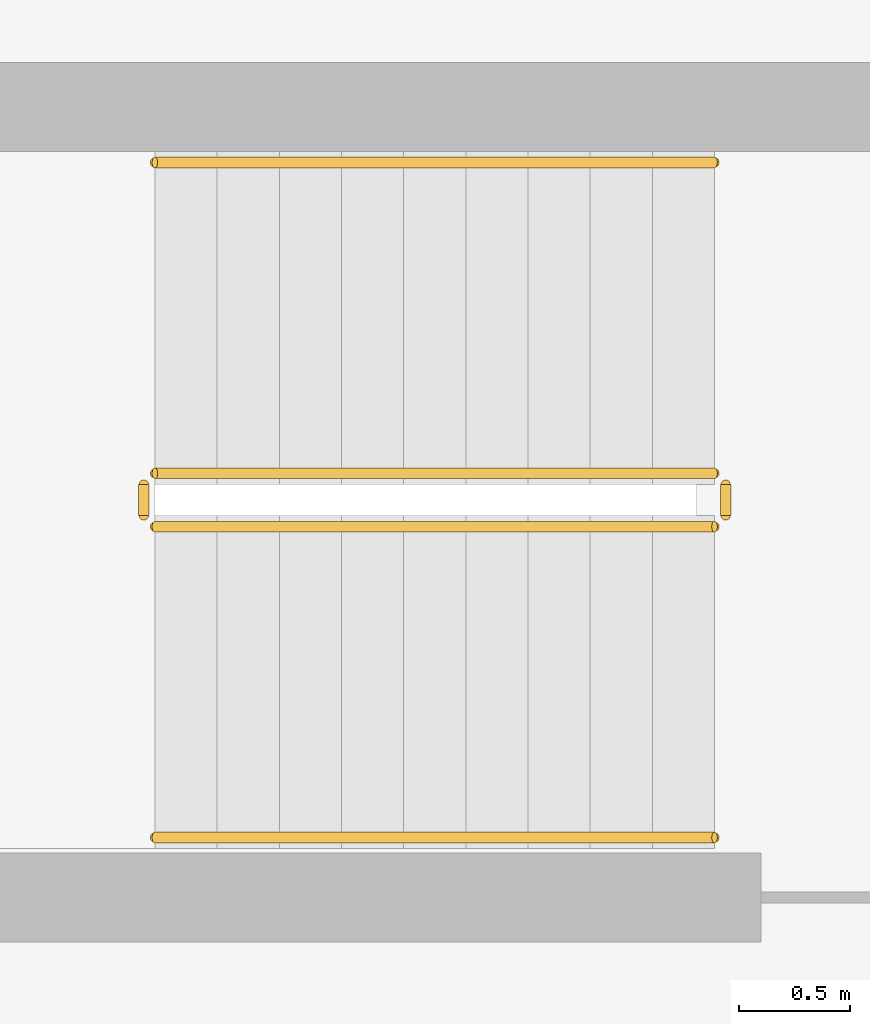
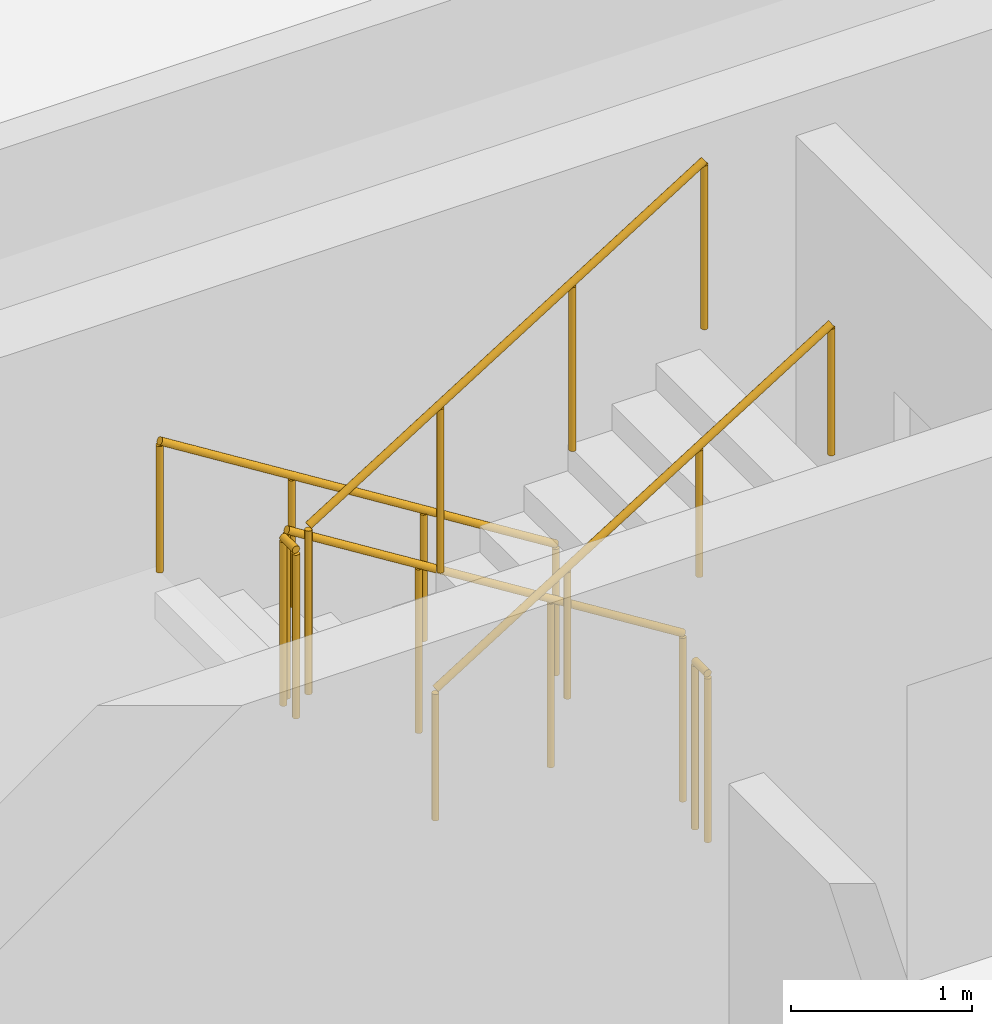
# One storey, part 16 of 18: 6 railings.
"""IFC4 building model written with IfcOpenShell, lengths in metres."""

from ifc_helpers import new_model, si_unit, derived_unit, direction, frame, origin, origin_2d, place, context, subcontext, project, spatial, circle, extrude, material, type_object, element, save


model = new_model("IFC4")

# Units and contexts
model_context = context("Model", 3, precision=1e-05, world=origin(), true_north=direction((0.0, 1.0)))
body_context = subcontext(model_context, "Body", "Model", "MODEL_VIEW")
ifc_project = project(units=[si_unit("LENGTHUNIT", "METRE"), si_unit("AREAUNIT", "SQUARE_METRE"), si_unit("VOLUMEUNIT", "CUBIC_METRE"), si_unit("PLANEANGLEUNIT", "RADIAN"), si_unit("MASSUNIT", "GRAM", prefix="KILO"), derived_unit("THERMALTRANSMITTANCEUNIT", [(si_unit("POWERUNIT", "WATT"), 1), (si_unit("LENGTHUNIT", "METRE"), -2), (si_unit("THERMODYNAMICTEMPERATUREUNIT", "KELVIN"), -1)])], contexts=[model_context])

# Site, building, storey
site_placement = place(None, origin())
site = spatial("IfcSite", under=ifc_project, at=site_placement, CompositionType="ELEMENT")
building_placement = place(site_placement, origin())
building = spatial("IfcBuilding", under=site, at=building_placement, Name="Kivonza Crest Hotel", CompositionType="ELEMENT")
storey_placement = place(building_placement, frame((0.0, 0.0, 131.0)))
storey = spatial("IfcBuildingStorey", under=building, at=storey_placement, Name="L35", CompositionType="ELEMENT", Elevation=131.0)

# Railings
ifc_material_1 = material(Name="Brushed stainless steel handrail", Category="steel")
railing_type_1 = type_object("IfcRailingType", Name="RL-HAND-900", PredefinedType="HANDRAIL", material=ifc_material_1)
railing_1_placement = place(storey_placement, frame((12.239990234375, 36.110107421875, 0.175048828125)))
element("IfcRailing", 1, at=railing_1_placement, inside=storey, type_object=railing_type_1, Name="L35 ST-T1-N stair handrail 1", PredefinedType="HANDRAIL", context=body_context, shape_type="SweptSolid", body=[
    extrude(circle(Radius=0.02392578125, at=origin_2d()), frame((0.0, 0.0, 0.8759765625), z_axis=(-0.848007534815, 0.0, 0.529984170421), x_axis=(0.0, -1.0, 0.0)), (0.0, 0.0, 1.0), 2.9716796875),
    extrude(circle(Radius=0.02099609375, at=origin_2d()), origin(), (0.0, 0.0, 1.0), 0.851806640625),
    extrude(circle(Radius=0.02099609375, at=origin_2d()), frame((-0.840087890625, 0.0, 0.52490234375)), (0.0, 0.0, 1.0), 0.851806640625),
    extrude(circle(Radius=0.02099609375, at=origin_2d()), frame((-1.679931640625, 0.0, 1.050048828125)), (0.0, 0.0, 1.0), 0.851806640625),
    extrude(circle(Radius=0.02099609375, at=origin_2d()), frame((-2.52001953125, 0.0, 1.574951171875)), (0.0, 0.0, 1.0), 0.851806640625),
])
railing_2_placement = place(storey_placement, frame((9.719970703125, 33.070068359375, 1.925048828125)))
element("IfcRailing", 2, at=railing_2_placement, inside=storey, type_object=railing_type_1, Name="L35 ST-T1-N stair handrail 2", PredefinedType="HANDRAIL", context=body_context, shape_type="SweptSolid", body=[
    extrude(circle(Radius=0.02392578125, at=origin_2d()), frame((0.0, 0.0, 0.8759765625), z_axis=(0.848007534815, 0.0, 0.529984170421), x_axis=(0.0, 1.0, 0.0)), (0.0, 0.0, 1.0), 2.9716796875),
    extrude(circle(Radius=0.02099609375, at=origin_2d()), origin(), (0.0, 0.0, 1.0), 0.851806640625),
    extrude(circle(Radius=0.02099609375, at=origin_2d()), frame((0.840087890625, 0.0, 0.52490234375)), (0.0, 0.0, 1.0), 0.851806640625),
    extrude(circle(Radius=0.02099609375, at=origin_2d()), frame((1.679931640625, 0.0, 1.050048828125)), (0.0, 0.0, 1.0), 0.851806640625),
    extrude(circle(Radius=0.02099609375, at=origin_2d()), frame((2.52001953125, 0.0, 1.574951171875)), (0.0, 0.0, 1.0), 0.851806640625),
])
ifc_material_2 = material(Name="Painted steel balustrade", Category="steel")
railing_type_2 = type_object("IfcRailingType", Name="RL-STAIR-1150", PredefinedType="BALUSTRADE", material=ifc_material_2)
railing_3_placement = place(storey_placement, frame((12.239990234375, 34.7099609375, 0.175048828125)))
element("IfcRailing", 3, at=railing_3_placement, inside=storey, type_object=railing_type_2, Name="L35 ST-T1-N stair guard 1", PredefinedType="BALUSTRADE", context=body_context, shape_type="SweptSolid", body=[
    extrude(circle(Radius=0.02392578125, at=origin_2d()), frame((0.0, 0.0, 1.1259765625), z_axis=(-0.848007534815, 0.0, 0.529984170421), x_axis=(0.0, -1.0, 0.0)), (0.0, 0.0, 1.0), 2.9716796875),
    extrude(circle(Radius=0.02099609375, at=origin_2d()), origin(), (0.0, 0.0, 1.0), 1.101806640625),
    extrude(circle(Radius=0.02099609375, at=origin_2d()), frame((-0.840087890625, 0.0, 0.52490234375)), (0.0, 0.0, 1.0), 1.101806640625),
    extrude(circle(Radius=0.02099609375, at=origin_2d()), frame((-1.679931640625, 0.0, 1.050048828125)), (0.0, 0.0, 1.0), 1.101806640625),
    extrude(circle(Radius=0.02099609375, at=origin_2d()), frame((-2.52001953125, 0.0, 1.574951171875)), (0.0, 0.0, 1.0), 1.101806640625),
])
railing_4_placement = place(storey_placement, frame((9.669921875, 34.659912109375, 1.75)))
element("IfcRailing", 4, at=railing_4_placement, inside=storey, type_object=railing_type_2, Name="L35 ST-T1-N stair guard 2", PredefinedType="BALUSTRADE", context=body_context, shape_type="SweptSolid", body=[
    extrude(circle(Radius=0.02392578125, at=origin_2d()), frame((0.0, 0.0, 1.1259765625), z_axis=(0.0, -1.0, 0.0), x_axis=(1.0, 0.0, 0.0)), (0.0, 0.0, 1.0), 0.139892578125),
    extrude(circle(Radius=0.02099609375, at=origin_2d()), origin(), (0.0, 0.0, 1.0), 1.101806640625),
    extrude(circle(Radius=0.02099609375, at=origin_2d()), frame((0.0, -0.139892578125, 0.0)), (0.0, 0.0, 1.0), 1.101806640625),
])
railing_5_placement = place(storey_placement, frame((9.719970703125, 34.469970703125, 1.925048828125)))
element("IfcRailing", 5, at=railing_5_placement, inside=storey, type_object=railing_type_2, Name="L35 ST-T1-N stair guard 3", PredefinedType="BALUSTRADE", context=body_context, shape_type="SweptSolid", body=[
    extrude(circle(Radius=0.02392578125, at=origin_2d()), frame((0.0, 0.0, 1.1259765625), z_axis=(0.848007534815, 0.0, 0.529984170421), x_axis=(0.0, 1.0, 0.0)), (0.0, 0.0, 1.0), 2.9716796875),
    extrude(circle(Radius=0.02099609375, at=origin_2d()), origin(), (0.0, 0.0, 1.0), 1.101806640625),
    extrude(circle(Radius=0.02099609375, at=origin_2d()), frame((0.840087890625, 0.0, 0.52490234375)), (0.0, 0.0, 1.0), 1.101806640625),
    extrude(circle(Radius=0.02099609375, at=origin_2d()), frame((1.679931640625, 0.0, 1.050048828125)), (0.0, 0.0, 1.0), 1.101806640625),
    extrude(circle(Radius=0.02099609375, at=origin_2d()), frame((2.52001953125, 0.0, 1.574951171875)), (0.0, 0.0, 1.0), 1.101806640625),
])
railing_6_placement = place(storey_placement, frame((12.2900390625, 34.659912109375, 0.0)))
element("IfcRailing", 6, at=railing_6_placement, inside=storey, type_object=railing_type_2, Name="L35 ST-T1-N stair guard 4", PredefinedType="BALUSTRADE", context=body_context, shape_type="SweptSolid", body=[
    extrude(circle(Radius=0.02392578125, at=origin_2d()), frame((0.0, 0.0, 1.1259765625), z_axis=(0.0, -1.0, 0.0), x_axis=(1.0, 0.0, 0.0)), (0.0, 0.0, 1.0), 0.139892578125),
    extrude(circle(Radius=0.02099609375, at=origin_2d()), origin(), (0.0, 0.0, 1.0), 1.101806640625),
    extrude(circle(Radius=0.02099609375, at=origin_2d()), frame((0.0, -0.139892578125, 0.0)), (0.0, 0.0, 1.0), 1.101806640625),
])

save(model, "model.ifc")
